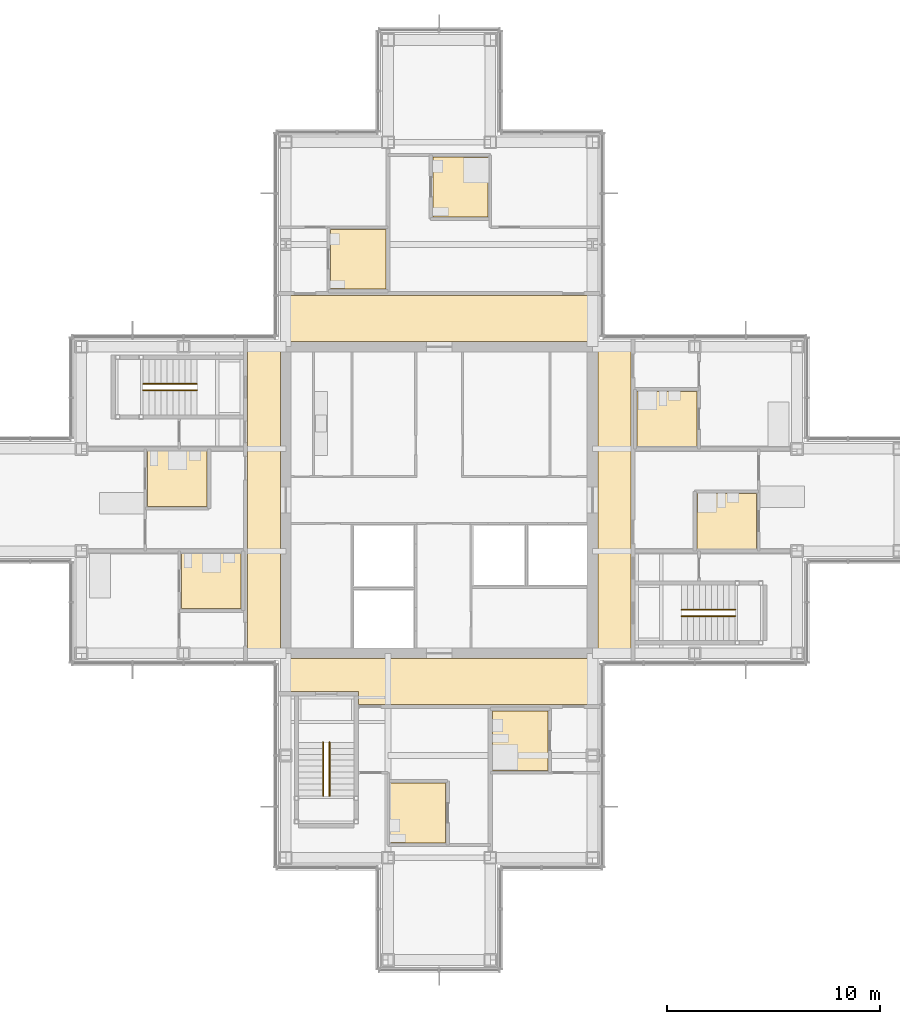
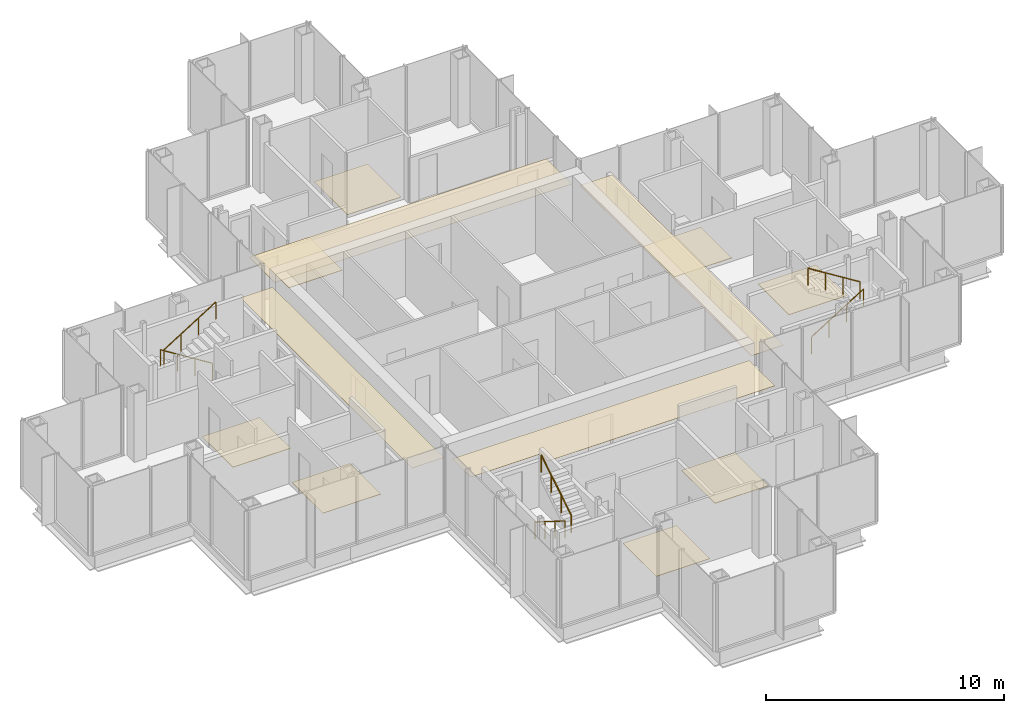
# One storey, part 15 of 17: 12 coverings, 6 railings.
"""IFC4 building model written with IfcOpenShell, lengths in metres."""

from ifc_helpers import new_model, si_unit, direction, frame, origin, origin_2d, place, context, subcontext, project, spatial, polyline, circle, outline, extrude, material, layer, layer_set, type_object, element, save


model = new_model("IFC4")

# Units and contexts
model_context = context("Model", 3, precision=1e-05, world=origin(), true_north=direction((0.0, 1.0)))
body_context = subcontext(model_context, "Body", "Model", "MODEL_VIEW")
ifc_project = project(units=[si_unit("LENGTHUNIT", "METRE"), si_unit("AREAUNIT", "SQUARE_METRE"), si_unit("VOLUMEUNIT", "CUBIC_METRE"), si_unit("PLANEANGLEUNIT", "RADIAN"), si_unit("MASSUNIT", "GRAM", prefix="KILO")], contexts=[model_context])

# Site, building, storey
site_placement = place(None, origin())
site = spatial("IfcSite", under=ifc_project, at=site_placement, CompositionType="ELEMENT")
building_placement = place(site_placement, origin())
building = spatial("IfcBuilding", under=site, at=building_placement, Name="Kvirike Care Tower", CompositionType="ELEMENT")
storey_placement = place(building_placement, frame((0.0, 0.0, 165.5)))
storey = spatial("IfcBuildingStorey", under=building, at=storey_placement, Name="L45", CompositionType="ELEMENT", Elevation=165.5)

# Coverings
ifc_material_1 = material(Name="Perforated metal ceiling tile", Category="aluminium")
ifc_layer_1 = layer(ifc_material_1, 0.014892578125)
ifc_layer_set_1 = layer_set([ifc_layer_1], Name="CORRIDOR CEILING 15")
covering_type_1 = type_object("IfcCoveringType", Name="CORRIDOR CEILING 15", PredefinedType="CEILING", material=ifc_layer_set_1)
covering_1_placement = place(storey_placement, frame((0.0, 0.0, 2.5)))
element("IfcCovering", 1, at=covering_1_placement, inside=storey, type_object=covering_type_1, Name="Corridor ceiling L45", PredefinedType="CEILING", context=body_context, shape_type="SweptSolid", body=[
    extrude(outline(polyline([(12.60009765625, 43.199951171875), (14.14990234375, 43.199951171875), (14.14990234375, 28.800048828125), (12.60009765625, 28.800048828125), (12.60009765625, 43.199951171875)])), origin(), (0.0, 0.0, 1.0), 0.014892578125),
])
covering_2_placement = place(storey_placement, frame((0.0, 0.0, 2.5)))
element("IfcCovering", 2, at=covering_2_placement, inside=storey, type_object=covering_type_1, Name="Corridor ceiling L45", PredefinedType="CEILING", context=body_context, shape_type="SweptSolid", body=[
    extrude(outline(polyline([(14.39990234375, 28.550048828125), (28.800048828125, 28.550048828125), (28.800048828125, 26.39990234375), (17.800048828125, 26.39990234375), (17.800048828125, 27.0), (14.39990234375, 27.0), (14.39990234375, 28.550048828125)])), origin(), (0.0, 0.0, 1.0), 0.014892578125),
])
covering_3_placement = place(storey_placement, frame((0.0, 0.0, 2.5)))
element("IfcCovering", 3, at=covering_3_placement, inside=storey, type_object=covering_type_1, Name="Corridor ceiling L45", PredefinedType="CEILING", context=body_context, shape_type="SweptSolid", body=[
    extrude(outline(polyline([(28.800048828125, 45.60009765625), (28.800048828125, 43.449951171875), (14.39990234375, 43.449951171875), (14.39990234375, 45.60009765625), (28.800048828125, 45.60009765625)])), origin(), (0.0, 0.0, 1.0), 0.014892578125),
])
covering_4_placement = place(storey_placement, frame((0.0, 0.0, 2.5)))
element("IfcCovering", 4, at=covering_4_placement, inside=storey, type_object=covering_type_1, Name="Corridor ceiling L45", PredefinedType="CEILING", context=body_context, shape_type="SweptSolid", body=[
    extrude(outline(polyline([(30.60009765625, 28.800048828125), (29.050048828125, 28.800048828125), (29.050048828125, 43.199951171875), (30.60009765625, 43.199951171875), (30.60009765625, 28.800048828125)])), origin(), (0.0, 0.0, 1.0), 0.014892578125),
])

# Railings
ifc_material_2 = material(Name="Stainless steel handrail", Category="steel")
railing_type = type_object("IfcRailingType", Name="STAIR HANDRAIL 900", PredefinedType="HANDRAIL", material=ifc_material_2)
railing_1_placement = place(storey_placement, frame((10.219970703125, 41.449951171875, 0.175048828125)))
element("IfcRailing", 5, at=railing_1_placement, inside=storey, type_object=railing_type, Name="Stair 1 handrail L45 flight 1", PredefinedType="HANDRAIL", context=body_context, shape_type="SweptSolid", body=[
    extrude(circle(Radius=0.02490234375, at=origin_2d()), frame((0.0, 0.0, 0.875), z_axis=(-0.848007534815, 0.0, 0.529984170421), x_axis=(0.0, -1.0, 0.0)), (0.0, 0.0, 1.0), 2.9716796875),
    extrude(circle(Radius=0.02001953125, at=origin_2d()), origin(), (0.0, 0.0, 1.0), 0.849853515625),
    extrude(circle(Radius=0.02001953125, at=origin_2d()), frame((-0.840087890625, 0.0, 0.52490234375)), (0.0, 0.0, 1.0), 0.849853515625),
    extrude(circle(Radius=0.02001953125, at=origin_2d()), frame((-1.679931640625, 0.0, 1.050048828125)), (0.0, 0.0, 1.0), 0.849853515625),
    extrude(circle(Radius=0.02001953125, at=origin_2d()), frame((-2.52001953125, 0.0, 1.574951171875)), (0.0, 0.0, 1.0), 0.849853515625),
])
for number, where, name in (
    (6, (7.699951171875, 41.14990234375, 1.925048828125), "Stair 1 handrail L45 flight 2"),
    (7, (32.97998046875, 30.550048828125, 0.175048828125), "Stair 2 handrail L45 flight 1"),
):
    element("IfcRailing", number, at=place(storey_placement, frame(where)), inside=storey, type_object=railing_type, Name=name, PredefinedType="HANDRAIL", context=body_context, shape_type="SweptSolid", body=[
        extrude(circle(Radius=0.02490234375, at=origin_2d()), frame((0.0, 0.0, 0.875), z_axis=(0.848007534815, 0.0, 0.529984170421), x_axis=(0.0, 1.0, 0.0)), (0.0, 0.0, 1.0), 2.9716796875),
        extrude(circle(Radius=0.02001953125, at=origin_2d()), origin(), (0.0, 0.0, 1.0), 0.849853515625),
        extrude(circle(Radius=0.02001953125, at=origin_2d()), frame((0.840087890625, 0.0, 0.52490234375)), (0.0, 0.0, 1.0), 0.849853515625),
        extrude(circle(Radius=0.02001953125, at=origin_2d()), frame((1.679931640625, 0.0, 1.050048828125)), (0.0, 0.0, 1.0), 0.849853515625),
        extrude(circle(Radius=0.02001953125, at=origin_2d()), frame((2.52001953125, 0.0, 1.574951171875)), (0.0, 0.0, 1.0), 0.849853515625),
    ])
railing_2_placement = place(storey_placement, frame((35.5, 30.85009765625, 1.925048828125)))
element("IfcRailing", 8, at=railing_2_placement, inside=storey, type_object=railing_type, Name="Stair 2 handrail L45 flight 2", PredefinedType="HANDRAIL", context=body_context, shape_type="SweptSolid", body=[
    extrude(circle(Radius=0.02490234375, at=origin_2d()), frame((0.0, 0.0, 0.875), z_axis=(-0.848007534815, 0.0, 0.529984170421), x_axis=(0.0, -1.0, 0.0)), (0.0, 0.0, 1.0), 2.9716796875),
    extrude(circle(Radius=0.02001953125, at=origin_2d()), origin(), (0.0, 0.0, 1.0), 0.849853515625),
    extrude(circle(Radius=0.02001953125, at=origin_2d()), frame((-0.840087890625, 0.0, 0.52490234375)), (0.0, 0.0, 1.0), 0.849853515625),
    extrude(circle(Radius=0.02001953125, at=origin_2d()), frame((-1.679931640625, 0.0, 1.050048828125)), (0.0, 0.0, 1.0), 0.849853515625),
    extrude(circle(Radius=0.02001953125, at=origin_2d()), frame((-2.52001953125, 0.0, 1.574951171875)), (0.0, 0.0, 1.0), 0.849853515625),
])
railing_3_placement = place(storey_placement, frame((16.14990234375, 24.6201171875, 0.175048828125)))
element("IfcRailing", 9, at=railing_3_placement, inside=storey, type_object=railing_type, Name="Stair 5 handrail L45 flight 1", PredefinedType="HANDRAIL", context=body_context, shape_type="SweptSolid", body=[
    extrude(circle(Radius=0.02490234375, at=origin_2d()), frame((0.0, 0.0, 0.875), z_axis=(0.0, -0.848007534815, 0.529984170421), x_axis=(1.0, 0.0, 0.0)), (0.0, 0.0, 1.0), 2.9716796875),
    extrude(circle(Radius=0.02001953125, at=origin_2d()), origin(), (0.0, 0.0, 1.0), 0.849853515625),
    extrude(circle(Radius=0.02001953125, at=origin_2d()), frame((0.0, -0.840087890625, 0.52490234375)), (0.0, 0.0, 1.0), 0.849853515625),
    extrude(circle(Radius=0.02001953125, at=origin_2d()), frame((0.0, -1.679931640625, 1.050048828125)), (0.0, 0.0, 1.0), 0.849853515625),
    extrude(circle(Radius=0.02001953125, at=origin_2d()), frame((0.0, -2.52001953125, 1.574951171875)), (0.0, 0.0, 1.0), 0.849853515625),
])
railing_4_placement = place(storey_placement, frame((16.449951171875, 22.10009765625, 1.925048828125)))
element("IfcRailing", 10, at=railing_4_placement, inside=storey, type_object=railing_type, Name="Stair 5 handrail L45 flight 2", PredefinedType="HANDRAIL", context=body_context, shape_type="SweptSolid", body=[
    extrude(circle(Radius=0.02490234375, at=origin_2d()), frame((0.0, 0.0, 0.875), z_axis=(0.0, 0.848007534815, 0.529984170421), x_axis=(-1.0, 0.0, 0.0)), (0.0, 0.0, 1.0), 2.9716796875),
    extrude(circle(Radius=0.02001953125, at=origin_2d()), origin(), (0.0, 0.0, 1.0), 0.849853515625),
    extrude(circle(Radius=0.02001953125, at=origin_2d()), frame((0.0, 0.840087890625, 0.52490234375)), (0.0, 0.0, 1.0), 0.849853515625),
    extrude(circle(Radius=0.02001953125, at=origin_2d()), frame((0.0, 1.679931640625, 1.050048828125)), (0.0, 0.0, 1.0), 0.849853515625),
    extrude(circle(Radius=0.02001953125, at=origin_2d()), frame((0.0, 2.52001953125, 1.574951171875)), (0.0, 0.0, 1.0), 0.849853515625),
])

# Coverings
ifc_material_3 = material(Name="Slip-resistant vinyl safety flooring on screed")
ifc_layer_2 = layer(ifc_material_3, 0.02001953125)
ifc_layer_set_2 = layer_set([ifc_layer_2], Name="WET ROOM FLOOR 20")
covering_type_2 = type_object("IfcCoveringType", Name="WET ROOM FLOOR 20", PredefinedType="FLOORING", material=ifc_layer_set_2)
covering_5_placement = place(storey_placement, origin())
element("IfcCovering", 11, at=covering_5_placement, inside=storey, type_object=covering_type_2, Name="En-suite floor L45-006", PredefinedType="FLOORING", context=body_context, shape_type="SweptSolid", body=[
    extrude(outline(polyline([(7.89990234375, 38.300048828125), (10.699951171875, 38.300048828125), (10.699951171875, 35.699951171875), (7.89990234375, 35.699951171875), (7.89990234375, 38.300048828125)])), origin(), (0.0, 0.0, 1.0), 0.02001953125),
])
covering_6_placement = place(storey_placement, origin())
element("IfcCovering", 12, at=covering_6_placement, inside=storey, type_object=covering_type_2, Name="En-suite floor L45-009", PredefinedType="FLOORING", context=body_context, shape_type="SweptSolid", body=[
    extrude(outline(polyline([(9.5, 33.5), (12.300048828125, 33.5), (12.300048828125, 30.89990234375), (9.5, 30.89990234375), (9.5, 33.5)])), origin(), (0.0, 0.0, 1.0), 0.02001953125),
])
covering_7_placement = place(storey_placement, origin())
element("IfcCovering", 13, at=covering_7_placement, inside=storey, type_object=covering_type_2, Name="Accessible WC floor L45-014", PredefinedType="FLOORING", context=body_context, shape_type="SweptSolid", body=[
    extrude(outline(polyline([(19.300048828125, 19.89990234375), (19.300048828125, 22.699951171875), (21.89990234375, 22.699951171875), (21.89990234375, 19.89990234375), (19.300048828125, 19.89990234375)])), origin(), (0.0, 0.0, 1.0), 0.02001953125),
])
covering_8_placement = place(storey_placement, origin())
element("IfcCovering", 14, at=covering_8_placement, inside=storey, type_object=covering_type_2, Name="Assisted bathroom floor L45-017", PredefinedType="FLOORING", context=body_context, shape_type="SweptSolid", body=[
    extrude(outline(polyline([(24.10009765625, 23.300048828125), (24.10009765625, 26.10009765625), (26.699951171875, 26.10009765625), (26.699951171875, 23.300048828125), (24.10009765625, 23.300048828125)])), origin(), (0.0, 0.0, 1.0), 0.02001953125),
])
covering_9_placement = place(storey_placement, origin())
element("IfcCovering", 15, at=covering_9_placement, inside=storey, type_object=covering_type_2, Name="Assisted bathroom floor L45-021", PredefinedType="FLOORING", context=body_context, shape_type="SweptSolid", body=[
    extrude(outline(polyline([(23.89990234375, 52.10009765625), (23.89990234375, 49.300048828125), (21.300048828125, 49.300048828125), (21.300048828125, 52.10009765625), (23.89990234375, 52.10009765625)])), origin(), (0.0, 0.0, 1.0), 0.02001953125),
])
covering_10_placement = place(storey_placement, origin())
element("IfcCovering", 16, at=covering_10_placement, inside=storey, type_object=covering_type_2, Name="Staff WC floor L45-024", PredefinedType="FLOORING", context=body_context, shape_type="SweptSolid", body=[
    extrude(outline(polyline([(19.10009765625, 48.699951171875), (19.10009765625, 45.89990234375), (16.5, 45.89990234375), (16.5, 48.699951171875), (19.10009765625, 48.699951171875)])), origin(), (0.0, 0.0, 1.0), 0.02001953125),
])
covering_11_placement = place(storey_placement, origin())
element("IfcCovering", 17, at=covering_11_placement, inside=storey, type_object=covering_type_2, Name="En-suite floor L45-031", PredefinedType="FLOORING", context=body_context, shape_type="SweptSolid", body=[
    extrude(outline(polyline([(36.5, 33.699951171875), (33.699951171875, 33.699951171875), (33.699951171875, 36.300048828125), (36.5, 36.300048828125), (36.5, 33.699951171875)])), origin(), (0.0, 0.0, 1.0), 0.02001953125),
])
covering_12_placement = place(storey_placement, origin())
element("IfcCovering", 18, at=covering_12_placement, inside=storey, type_object=covering_type_2, Name="En-suite floor L45-034", PredefinedType="FLOORING", context=body_context, shape_type="SweptSolid", body=[
    extrude(outline(polyline([(33.699951171875, 38.5), (30.89990234375, 38.5), (30.89990234375, 41.10009765625), (33.699951171875, 41.10009765625), (33.699951171875, 38.5)])), origin(), (0.0, 0.0, 1.0), 0.02001953125),
])

save(model, "model.ifc")
